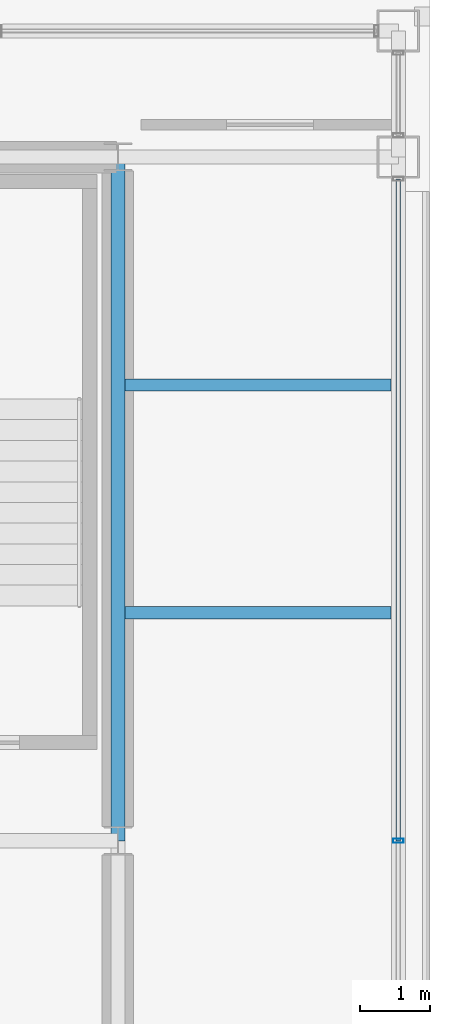
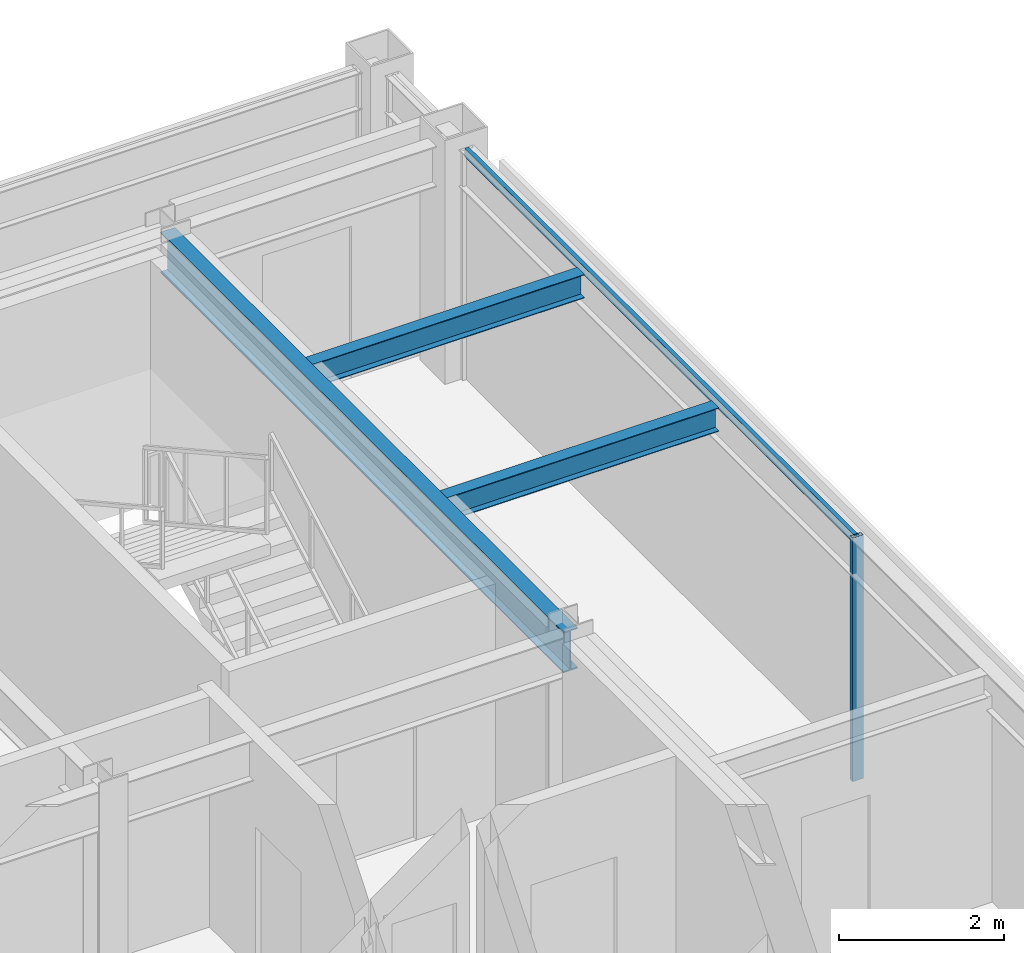
# One storey, part 16 of 27: 3 beams, 2 members, 1 element without a shape of its own.
"""IFC4 building model written with IfcOpenShell, lengths in metres."""

from ifc_helpers import new_model, si_unit, direction, frame, origin, origin_2d, place, context, subcontext, project, spatial, hollow_rectangle, i_section, extrude, material, layer, layer_set, material_profile, profile_set, type_object, element, aggregate, save


model = new_model("IFC4")

# Units and contexts
model_context = context("Model", 3, precision=1e-05, world=origin(), true_north=direction((0.0, 1.0)))
body_context = subcontext(model_context, "Body", "Model", "MODEL_VIEW")
ifc_project = project(units=[si_unit("LENGTHUNIT", "METRE"), si_unit("AREAUNIT", "SQUARE_METRE"), si_unit("VOLUMEUNIT", "CUBIC_METRE"), si_unit("PLANEANGLEUNIT", "RADIAN"), si_unit("MASSUNIT", "GRAM", prefix="KILO")], contexts=[model_context])

# Site, building, storey
site_placement = place(None, origin())
site = spatial("IfcSite", under=ifc_project, at=site_placement, CompositionType="ELEMENT")
building_placement = place(site_placement, origin())
building = spatial("IfcBuilding", under=site, at=building_placement, Name="Brelmoor Portico Tower", CompositionType="ELEMENT")
storey_placement = place(building_placement, frame((0.0, 0.0, 250.800048828125)))
storey = spatial("IfcBuildingStorey", under=building, at=storey_placement, Name="L66", CompositionType="ELEMENT", Elevation=250.800048828125)

# Beams
ifc_material_1 = material(Name="Steel Q355B", Category="steel")
ifc_material_profile_1 = material_profile(ifc_material_1, i_section(OverallWidth=0.175048828125, OverallDepth=0.35009765625, WebThickness=0.007080078125, FlangeThickness=0.010986328125, at=origin_2d()), Name="HN 350x175x7x11")
ifc_profile_set_1 = profile_set([ifc_material_profile_1], Name="Steel Q355B")
beam_type_1 = type_object("IfcBeamType", Name="BM-JS-350", PredefinedType="JOIST", material=ifc_profile_set_1)
for number, where, z_axis, x_axis, name in (
    (1, (14.64990234375, 3.25, 3.224853515625), (1.0, 0.0, 0.0), (0.0, 1.0, 0.0), "L66 Secondary Wing Joist JS-E13"),
    (2, (14.64990234375, 6.5, 3.224853515625), (1.0, 0.0, 0.0), (0.0, 1.0, 0.0), "L66 Secondary Wing Joist JS-E14"),
):
    element("IfcBeam", number, at=place(storey_placement, frame(where, z_axis=z_axis, x_axis=x_axis)), inside=storey, type_object=beam_type_1, Name=name, PredefinedType="JOIST", context=body_context, shape_type="SweptSolid", body=[
        extrude(i_section(OverallWidth=0.175048828125, OverallDepth=0.35009765625, WebThickness=0.007080078125, FlangeThickness=0.010986328125, at=origin_2d()), origin(), (0.0, 0.0, 1.0), 3.800048828125),
    ])
ifc_material_profile_2 = material_profile(ifc_material_1, i_section(OverallWidth=0.199951171875, OverallDepth=0.60009765625, WebThickness=0.010986328125, FlangeThickness=0.01708984375, at=origin_2d()), Name="HN 600x200x11x17")
ifc_profile_set_2 = profile_set([ifc_material_profile_2], Name="Steel Q355B")
beam_type_2 = type_object("IfcBeamType", Name="BM-PG-600", PredefinedType="BEAM", material=ifc_profile_set_2)
beam_placement = place(storey_placement, frame((14.550048828125, 0.0, 3.099853515625), z_axis=(0.0, 1.0, 0.0), x_axis=(-1.0, 0.0, 0.0)))
element("IfcBeam", 3, at=beam_placement, inside=storey, type_object=beam_type_2, Name="L66 Primary Floor Girder PG-10", PredefinedType="BEAM", context=body_context, shape_type="SweptSolid", body=[
    extrude(i_section(OverallWidth=0.199951171875, OverallDepth=0.60009765625, WebThickness=0.010986328125, FlangeThickness=0.01708984375, at=origin_2d()), origin(), (0.0, 0.0, 1.0), 9.75),
])

# Curtain wall, members
ifc_material_2 = material(Name="Anodised Aluminium Alloy 6063-T6", Category="aluminium")
ifc_layer = layer(ifc_material_2, 0.179931640625)
ifc_layer_set = layer_set([ifc_layer], Name="Anodised Aluminium Alloy 6063-T6")
curtain_wall_type = type_object("IfcCurtainWallType", Name="CW-TOWER-Z4-XB", PredefinedType="NOTDEFINED", material=ifc_layer_set)
curtain_wall_placement = place(storey_placement, origin())
curtain_wall = element("IfcCurtainWall", 4, at=curtain_wall_placement, inside=storey, type_object=curtain_wall_type, Name="L66 Curtain Wall CW-L66-04-2", PredefinedType="NOTDEFINED")
ifc_material_profile_3 = material_profile(ifc_material_2, hollow_rectangle(XDim=0.06005859375, YDim=0.14990234375, WallThickness=0.00390625, at=origin_2d()), Name="ALU MULLION 60x150")
ifc_profile_set_3 = profile_set([ifc_material_profile_3], Name="Anodised Aluminium Alloy 6063-T6")
member_type_1 = type_object("IfcMemberType", Name="MB-CW-MULL-150", PredefinedType="MULLION", material=ifc_profile_set_3)
member_1_placement = place(storey_placement, frame((18.550048828125, 0.0, -0.199951171875), z_axis=(0.0, 0.0, 1.0), x_axis=(0.0, 1.0, 0.0)))
member_1 = element("IfcMember", 5, at=member_1_placement, type_object=member_type_1, Name="CW-L66-04-2 Mullion 01", PredefinedType="MULLION", context=body_context, shape_type="SweptSolid", body=[
    extrude(hollow_rectangle(XDim=0.06005859375, YDim=0.14990234375, WallThickness=0.00390625, at=origin_2d()), origin(), (0.0, 0.0, 1.0), 3.599853515625),
])
ifc_material_profile_4 = material_profile(ifc_material_2, hollow_rectangle(XDim=0.06005859375, YDim=0.125, WallThickness=0.00341796875, at=origin_2d()), Name="ALU TRANSOM 60x125")
ifc_profile_set_4 = profile_set([ifc_material_profile_4], Name="Anodised Aluminium Alloy 6063-T6")
member_type_2 = type_object("IfcMemberType", Name="MB-CW-TRAN-125", PredefinedType="USERDEFINED", material=ifc_profile_set_4)
member_2_placement = place(storey_placement, frame((18.550048828125, 0.0, 3.33740234375), z_axis=(0.0, 1.0, 0.0), x_axis=(-1.0, 0.0, 0.0)))
member_2 = element("IfcMember", 6, at=member_2_placement, type_object=member_type_2, Name="CW-L66-04-2 Transom 1-01", ObjectType="TRANSOM", PredefinedType="USERDEFINED", context=body_context, shape_type="SweptSolid", body=[
    extrude(hollow_rectangle(XDim=0.06005859375, YDim=0.125, WallThickness=0.00341796875, at=origin_2d()), origin(), (0.0, 0.0, 1.0), 9.43994140625),
])
aggregate(curtain_wall, [member_1, member_2])

save(model, "model.ifc")
